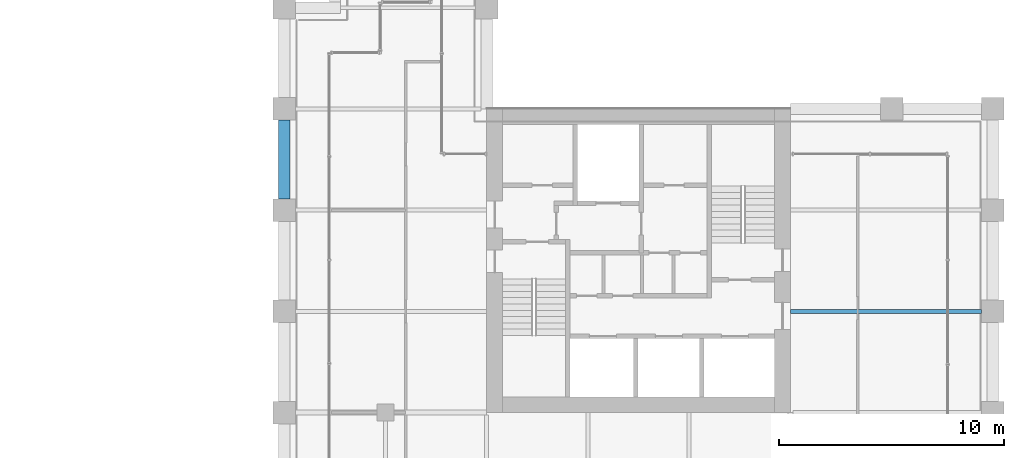
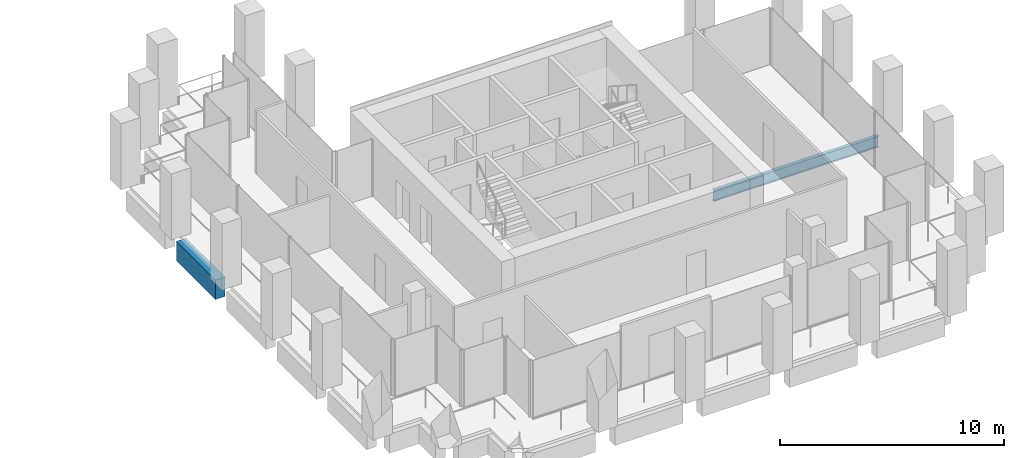
# One storey, part 33 of 46: 2 beams.
"""IFC4 building model written with IfcOpenShell, lengths in metres."""

from ifc_helpers import new_model, si_unit, direction, frame, origin, origin_2d, place, context, subcontext, project, spatial, rectangle, i_section, extrude, material, material_profile, profile_set, type_object, element, save


model = new_model("IFC4")

# Units and contexts
model_context = context("Model", 3, precision=1e-05, world=origin(), true_north=direction((0.0, 1.0)))
body_context = subcontext(model_context, "Body", "Model", "MODEL_VIEW")
ifc_project = project(units=[si_unit("LENGTHUNIT", "METRE"), si_unit("AREAUNIT", "SQUARE_METRE"), si_unit("VOLUMEUNIT", "CUBIC_METRE"), si_unit("PLANEANGLEUNIT", "RADIAN"), si_unit("MASSUNIT", "GRAM", prefix="KILO")], contexts=[model_context])

# Site, building, storey
site_placement = place(None, origin())
site = spatial("IfcSite", under=ifc_project, at=site_placement, CompositionType="ELEMENT")
building_placement = place(site_placement, origin())
building = spatial("IfcBuilding", under=site, at=building_placement, Name="Altepetl Exchange Towers", CompositionType="ELEMENT")
storey_placement = place(building_placement, frame((0.0, 0.0, 102.800048828125)))
storey = spatial("IfcBuildingStorey", under=building, at=storey_placement, Name="L25", CompositionType="ELEMENT", Elevation=102.800048828125)

# Beams
ifc_material_1 = material(Name="Steel S355", Category="steel")
ifc_material_profile_1 = material_profile(ifc_material_1, i_section(OverallWidth=0.177978515625, OverallDepth=0.59912109375, WebThickness=0.010009765625, FlangeThickness=0.0126953125, at=origin_2d()), Name="W24X55")
ifc_profile_set_1 = profile_set([ifc_material_profile_1], Name="Steel S355")
beam_type_1 = type_object("IfcBeamType", Name="Floor beam W24X55", PredefinedType="BEAM", material=ifc_profile_set_1)
beam_1_placement = place(storey_placement, frame((117.0, 40.5, -0.449462890625), z_axis=(1.0, 0.0, 0.0), x_axis=(0.0, 1.0, 0.0)))
element("IfcBeam", 1, at=beam_1_placement, inside=storey, type_object=beam_type_1, Name="bm:B:L25:002", PredefinedType="BEAM", context=body_context, shape_type="SweptSolid", body=[
    extrude(i_section(OverallWidth=0.177978515625, OverallDepth=0.59912109375, WebThickness=0.010009765625, FlangeThickness=0.0126953125, at=origin_2d()), origin(), (0.0, 0.0, 1.0), 8.5),
])
ifc_material_2 = material(Name="Concrete C50/60 precast with cantera rosa facing", Category="concrete")
ifc_material_profile_2 = material_profile(ifc_material_2, rectangle(XDim=0.5, YDim=1.050048828125, at=origin_2d()), Name="500 x 1050")
ifc_profile_set_2 = profile_set([ifc_material_profile_2], Name="Concrete C50/60 precast with cantera rosa facing")
beam_type_2 = type_object("IfcBeamType", Name="Spandrel beam 500x1050 cantera rosa", PredefinedType="SPANDREL", material=ifc_profile_set_2)
beam_2_placement = place(storey_placement, frame((94.5, 49.0, -0.675048828125), z_axis=(0.0, -1.0, 0.0), x_axis=(1.0, 0.0, 0.0)))
element("IfcBeam", 2, at=beam_2_placement, inside=storey, type_object=beam_type_2, Name="sp:B:L25:023", PredefinedType="SPANDREL", context=body_context, shape_type="SweptSolid", body=[
    extrude(rectangle(XDim=0.5, YDim=1.050048828125, at=origin_2d()), origin(), (0.0, 0.0, 1.0), 3.5),
])

save(model, "model.ifc")
